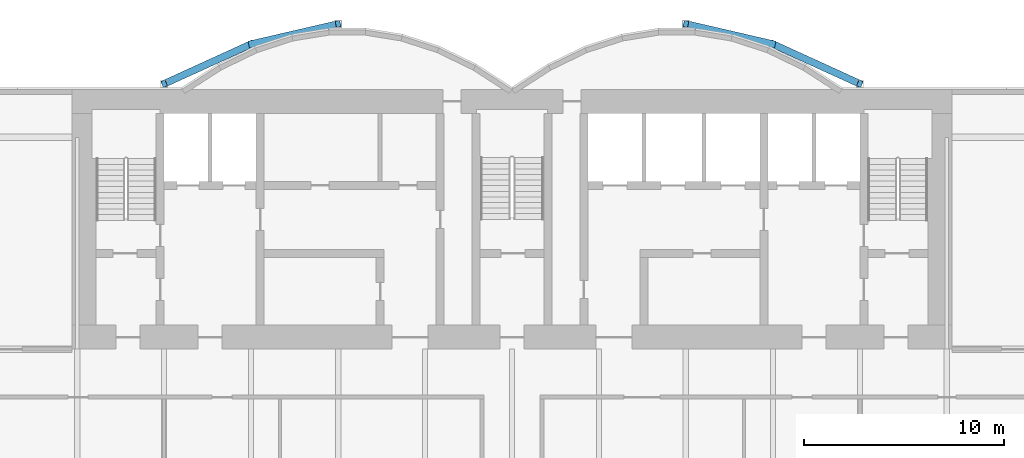
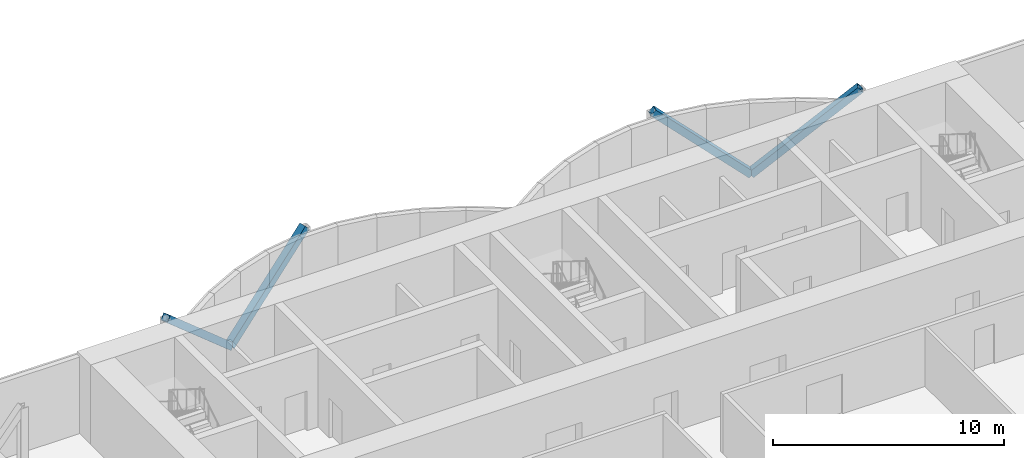
# One storey, part 10 of 19: 4 members.
"""IFC4 building model written with IfcOpenShell, lengths in metres."""

from ifc_helpers import new_model, si_unit, direction, frame, origin, origin_2d, place, context, subcontext, project, spatial, hollow_rectangle, extrude, material, material_profile, profile_set, type_object, element, save


model = new_model("IFC4")

# Units and contexts
model_context = context("Model", 3, precision=1e-05, world=origin(), true_north=direction((0.0, 1.0)))
body_context = subcontext(model_context, "Body", "Model", "MODEL_VIEW")
ifc_project = project(units=[si_unit("LENGTHUNIT", "METRE"), si_unit("AREAUNIT", "SQUARE_METRE"), si_unit("VOLUMEUNIT", "CUBIC_METRE"), si_unit("PLANEANGLEUNIT", "RADIAN"), si_unit("MASSUNIT", "GRAM", prefix="KILO")], contexts=[model_context])

# Site, building, storey
site_placement = place(None, origin())
site = spatial("IfcSite", under=ifc_project, at=site_placement, CompositionType="ELEMENT")
building_placement = place(site_placement, origin())
building = spatial("IfcBuilding", under=site, at=building_placement, Name="Bicima Exchange Tower", CompositionType="ELEMENT")
storey_placement = place(building_placement, frame((0.0, 0.0, 266.60009765625)))
storey = spatial("IfcBuildingStorey", under=building, at=storey_placement, Name="L60", CompositionType="ELEMENT", Elevation=266.60009765625)

# Members
ifc_material = material(Name="Steel ASTM A572 Gr 50", Category="steel")
ifc_material_profile = material_profile(ifc_material, hollow_rectangle(XDim=0.355712890625, YDim=0.355712890625, WallThickness=0.0146484375, at=origin_2d()))
ifc_profile_set = profile_set([ifc_material_profile], Name="Steel ASTM A572 Gr 50")
member_type = type_object("IfcMemberType", Name="Mega brace HSS14x14x5/8", PredefinedType="BRACE", material=ifc_profile_set)
member_1_placement = place(storey_placement, frame((-13.050048828125, 2.262451171875, 0.0), z_axis=(0.709647653042, 0.164209073605, 0.68515369712), x_axis=(-0.225438503722, 0.974257399787, 0.0)))
element("IfcMember", 1, at=member_1_placement, inside=storey, type_object=member_type, Name="Mega brace rexo", PredefinedType="BRACE", context=body_context, shape_type="SweptSolid", body=[
    extrude(hollow_rectangle(XDim=0.355712890625, YDim=0.355712890625, WallThickness=0.0146484375, at=origin_2d()), origin(), (0.0, 0.0, 1.0), 6.1298828125),
])
for number, where, z_axis, x_axis, name in (
    (2, (-13.050048828125, 2.262451171875, 0.0), (-0.683525692449, -0.311819993726, 0.659970392726), (0.415045223819, -0.909800781592, 0.0), "Mega brace rexo"),
    (3, (13.050048828125, 2.262451171875, 0.0), (0.683525692449, -0.311819993726, 0.659970392726), (0.415045223819, 0.909800781592, 0.0), "Mega brace rexo"),
):
    element("IfcMember", number, at=place(storey_placement, frame(where, z_axis=z_axis, x_axis=x_axis)), inside=storey, type_object=member_type, Name=name, PredefinedType="BRACE", context=body_context, shape_type="SweptSolid", body=[
        extrude(hollow_rectangle(XDim=0.355712890625, YDim=0.355712890625, WallThickness=0.0146484375, at=origin_2d()), origin(), (0.0, 0.0, 1.0), 6.36376953125),
    ])
member_2_placement = place(storey_placement, frame((13.050048828125, 2.262451171875, 0.0), z_axis=(-0.709647653042, 0.164209073605, 0.68515369712), x_axis=(-0.225438503722, -0.974257399787, 0.0)))
element("IfcMember", 4, at=member_2_placement, inside=storey, type_object=member_type, Name="Mega brace rexo", PredefinedType="BRACE", context=body_context, shape_type="SweptSolid", body=[
    extrude(hollow_rectangle(XDim=0.355712890625, YDim=0.355712890625, WallThickness=0.0146484375, at=origin_2d()), origin(), (0.0, 0.0, 1.0), 6.1298828125),
])

save(model, "model.ifc")
